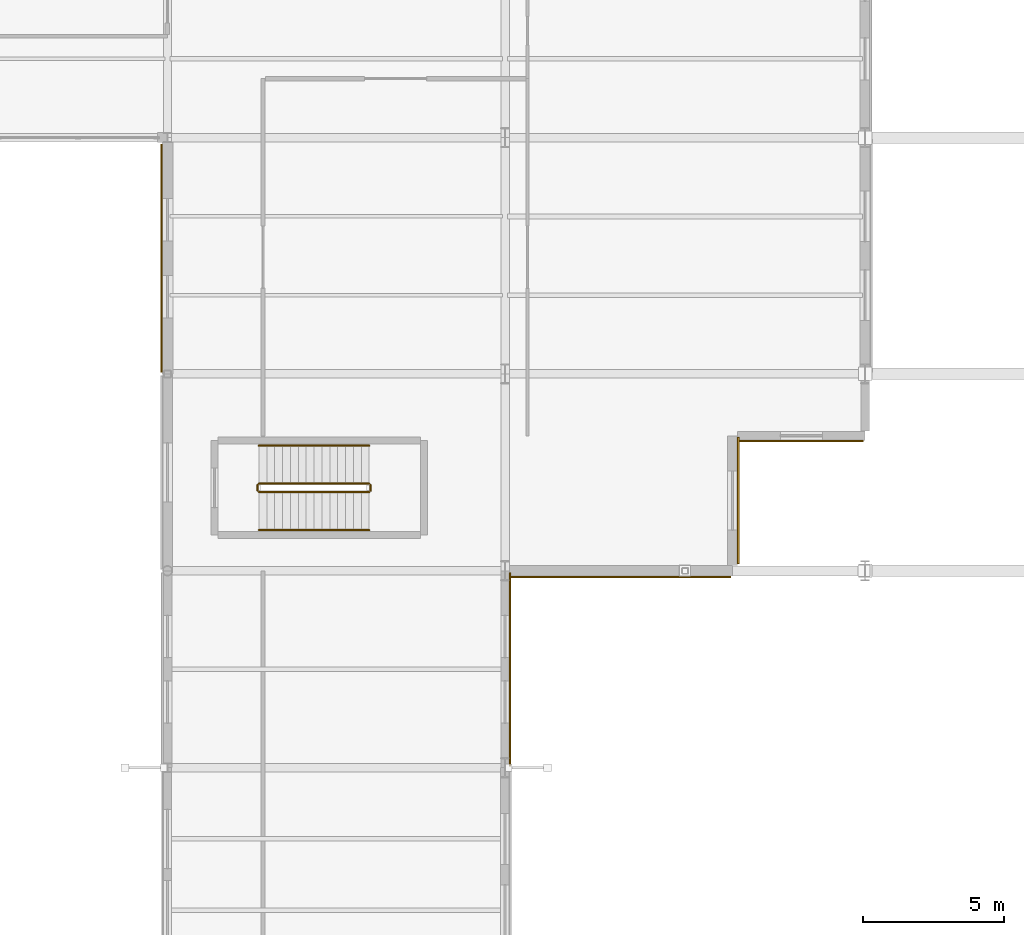
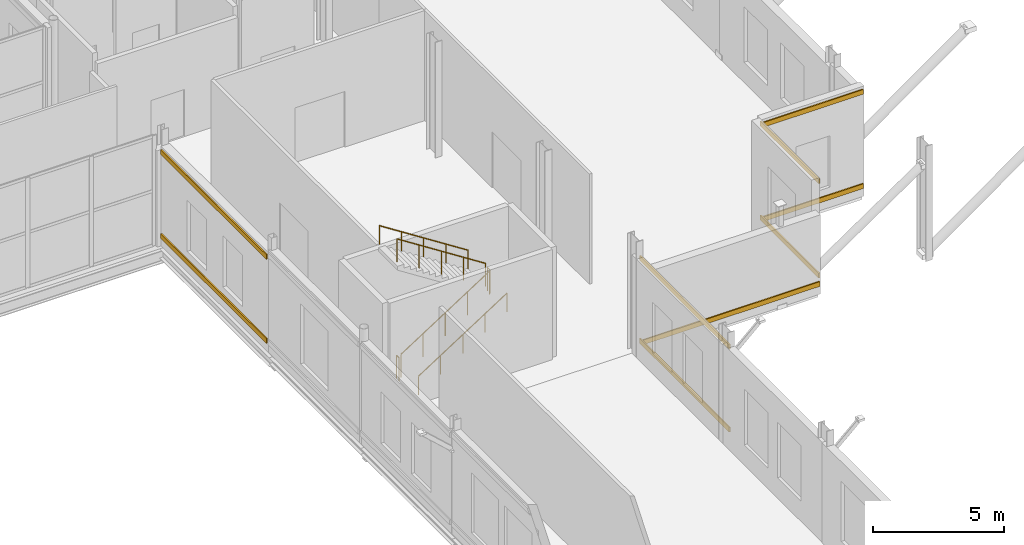
# One storey, part 143 of 147: 9 coverings, 6 railings.
"""IFC4 building model written with IfcOpenShell, lengths in metres."""

import ifcopenshell
import ifcopenshell.guid

model = None  # the IFC model being written
_history = None  # IfcOwnerHistory: only IFC2X3 demands one
_inside = {}  # id of a spatial element -> (the spatial element, [elements in it])
_under = {}  # id of a project, library or spatial element -> (it, [spatial elements below it])
_declared = {}  # id of a project -> (the project, [libraries it declares])
_typed = {}  # id of a type object -> (the type object, [elements of that type])
_made_of = {}  # id of a material, layer set ... -> (it, [elements and type objects made of it])


def new_model(schema):
    """Start an empty IFC model of exactly this schema.

    Asked for "IFC4X3", IfcOpenShell would pick the latest addendum, in which some entities
    have other attributes; the version numbers below select the first issue.
    IFC2X3 requires an IfcOwnerHistory on every rooted entity: one is made here for all.
    """
    global model, _history
    if schema == "IFC4X3":
        model = ifcopenshell.file(schema_version=(4, 3, 0, 0))
    else:
        model = ifcopenshell.file(schema=schema)
    _inside.clear()
    _under.clear()
    _declared.clear()
    _typed.clear()
    _made_of.clear()
    _history = None
    if model.schema == "IFC2X3":
        org = make("IfcOrganization", Name="unknown")
        user = make(
            "IfcPersonAndOrganization",
            ThePerson=make("IfcPerson", FamilyName="unknown"),
            TheOrganization=org,
        )
        app = make(
            "IfcApplication",
            ApplicationDeveloper=org,
            Version="unknown",
            ApplicationFullName="unknown",
            ApplicationIdentifier="unknown",
        )
        _history = make(
            "IfcOwnerHistory",
            OwningUser=user,
            OwningApplication=app,
            ChangeAction="ADDED",
            CreationDate=0,
        )
    return model


def make(cls, **values):
    """One entity of the class cls with the attributes given. An attribute that is None is left unset."""
    return model.create_entity(
        cls, **{name: value for name, value in values.items() if value is not None}
    )


def rooted(cls, **values):
    """An entity with a GlobalId (a new one), such as an element, a storey or a relation."""
    return make(cls, GlobalId=ifcopenshell.guid.new(), OwnerHistory=_history, **values)


def si_unit(unit_type, name, prefix=None):
    """IfcSIUnit, for example si_unit("LENGTHUNIT", "METRE", prefix="MILLI")."""
    return make("IfcSIUnit", UnitType=unit_type, Prefix=prefix, Name=name)


def assignment(units):
    """IfcUnitAssignment: the units of a project."""
    return None if units is None else make("IfcUnitAssignment", Units=units)


def point(xyz):
    """IfcCartesianPoint."""
    return None if xyz is None else make("IfcCartesianPoint", Coordinates=xyz)


def direction(xyz):
    """IfcDirection."""
    return None if xyz is None else make("IfcDirection", DirectionRatios=xyz)


def frame(location, z_axis=None, x_axis=None):
    """IfcAxis2Placement3D, a coordinate frame: its origin and axes. An axis left out is left unset."""
    return make(
        "IfcAxis2Placement3D",
        Location=point(location),
        Axis=direction(z_axis),
        RefDirection=direction(x_axis),
    )


def frame_2d(location, x_axis=None):
    """IfcAxis2Placement2D, a coordinate frame in the plane: its origin and x axis."""
    return make(
        "IfcAxis2Placement2D", Location=point(location), RefDirection=direction(x_axis)
    )


def origin():
    """The frame at (0, 0, 0) with its axes left unset."""
    return frame((0.0, 0.0, 0.0))


def origin_2d():
    """The frame at (0, 0) in the plane with its x axis left unset."""
    return frame_2d((0.0, 0.0))


def place(relative_to, where):
    """IfcLocalPlacement: puts the frame where relative to a parent placement (None: the world)."""
    return make(
        "IfcLocalPlacement", PlacementRelTo=relative_to, RelativePlacement=where
    )


def context(
    kind, dimensions, precision=None, world=None, true_north=None, identifier=None
):
    """IfcGeometricRepresentationContext, for example the 3D "Model" context."""
    return make(
        "IfcGeometricRepresentationContext",
        ContextIdentifier=identifier,
        ContextType=kind,
        CoordinateSpaceDimension=dimensions,
        Precision=precision,
        WorldCoordinateSystem=world,
        TrueNorth=true_north,
    )


def subcontext(parent, identifier, kind, view, scale=None):
    """IfcGeometricRepresentationSubContext, for example "Body" below "Model"."""
    return make(
        "IfcGeometricRepresentationSubContext",
        ContextIdentifier=identifier,
        ContextType=kind,
        ParentContext=parent,
        TargetScale=scale,
        TargetView=view,
    )


def project(units=None, contexts=None):
    """IfcProject with its units and contexts."""
    return rooted(
        "IfcProject",
        Name="project",
        RepresentationContexts=contexts,
        UnitsInContext=assignment(units),
    )


def spatial(cls, under=None, at=None, **own):
    """A site, building, storey or space (cls), placed at a placement, below another one or the project."""
    s = rooted(cls, ObjectPlacement=at, **own)
    if under is not None:
        _under.setdefault(under.id(), (under, []))[1].append(s)
    return s


def profile(cls, at=None, kind="AREA", **sizes):
    """A parametric profile (cls). Its sizes go by their IFC names, for example OverallWidth=200.0."""
    return make(cls, ProfileType=kind, Position=at, **sizes)


def rectangle(**sizes):
    """IfcRectangleProfileDef."""
    return profile("IfcRectangleProfileDef", **sizes)


def circle(**sizes):
    """IfcCircleProfileDef."""
    return profile("IfcCircleProfileDef", **sizes)


def extrude(swept, where, along, depth):
    """IfcExtrudedAreaSolid: the profile swept, set in the frame where, extruded along a direction by depth."""
    return make(
        "IfcExtrudedAreaSolid",
        SweptArea=swept,
        Position=where,
        ExtrudedDirection=direction(along),
        Depth=depth,
    )


def shape(context_of_items, identifier, shape_type, items):
    """IfcShapeRepresentation: the items that make up one representation, for example the "Body"."""
    return make(
        "IfcShapeRepresentation",
        ContextOfItems=context_of_items,
        RepresentationIdentifier=identifier,
        RepresentationType=shape_type,
        Items=items,
    )


def material(Name=None, Category=None):
    """IfcMaterial."""
    return make("IfcMaterial", Name=Name, Category=Category)


def layer(
    of_material, thickness, ventilated=None, Name=None, Category=None, Priority=None
):
    """IfcMaterialLayer: one layer of a wall or slab, of a material (None: an air gap)."""
    return make(
        "IfcMaterialLayer",
        Material=of_material,
        LayerThickness=thickness,
        IsVentilated=ventilated,
        Name=Name,
        Category=Category,
        Priority=Priority,
    )


def layer_set(layers, Name=None):
    """IfcMaterialLayerSet."""
    return make("IfcMaterialLayerSet", MaterialLayers=layers, LayerSetName=Name)


def made_of(thing, what):
    """Note that an element or type object is made of a material, layer set ...; save() writes the relation."""
    if what is not None:
        _made_of.setdefault(what.id(), (what, []))[1].append(thing)
    return thing


def type_object(cls, material=None, **own):
    """A type object (cls), such as IfcWallType, which elements share."""
    return made_of(rooted(cls, **own), material)


def element(
    cls,
    number,
    at=None,
    inside=None,
    cuts=None,
    type_object=None,
    material=None,
    context=None,
    identifier="Body",
    shape_type=None,
    held_by="IfcProductDefinitionShape",
    body=None,
    shapes=None,
    **own,
):
    """One element of the class cls, such as IfcWall. Its Tag is "e" and its number.

    at: its placement. inside: the storey or other place that contains it. cuts: it is an
    opening in that element (IfcRelVoidsElement). A single representation is given by context,
    identifier, shape_type and body (its items); several are given by shapes. held_by: the class
    of the entity that holds the representations. save() writes the other relations.
    """
    e = rooted(cls, Tag="e%d" % number, ObjectPlacement=at, **own)
    if body is not None:
        shapes = [shape(context, identifier, shape_type, body)]
    if shapes is not None:
        e.Representation = make(held_by, Representations=shapes)
    if inside is not None:
        _inside.setdefault(inside.id(), (inside, []))[1].append(e)
    if cuts is not None:
        rooted(
            "IfcRelVoidsElement", RelatingBuildingElement=cuts, RelatedOpeningElement=e
        )
    if type_object is not None:
        _typed.setdefault(type_object.id(), (type_object, []))[1].append(e)
    return made_of(e, material)


def aggregate(whole, parts):
    """IfcRelAggregates: a whole, such as a stair, and the parts it consists of."""
    return rooted("IfcRelAggregates", RelatingObject=whole, RelatedObjects=parts)


def save(model, path):
    """Write the relations noted so far, then the file.

    IfcRelAggregates (storeys below a building ...), IfcRelContainedInSpatialStructure (elements
    in a storey), IfcRelDefinesByType, IfcRelAssociatesMaterial and IfcRelDeclares: one each for
    every whole, place, type object, material and project.
    """
    for whole, parts in _under.values():
        aggregate(whole, parts)
    for where, things in _inside.values():
        rooted(
            "IfcRelContainedInSpatialStructure",
            RelatedElements=things,
            RelatingStructure=where,
        )
    for kind, things in _typed.values():
        rooted("IfcRelDefinesByType", RelatedObjects=things, RelatingType=kind)
    for what, things in _made_of.values():
        rooted("IfcRelAssociatesMaterial", RelatedObjects=things, RelatingMaterial=what)
    for by, libraries in _declared.values():
        rooted("IfcRelDeclares", RelatingContext=by, RelatedDefinitions=libraries)
    model.write(path)


model = new_model("IFC4")

# Units and contexts
model_context = context("Model", 3, precision=1e-05, world=origin(), true_north=direction((0.0, 1.0)))
body_context = subcontext(model_context, "Body", "Model", "MODEL_VIEW")
ifc_project = project(units=[si_unit("LENGTHUNIT", "METRE"), si_unit("AREAUNIT", "SQUARE_METRE"), si_unit("VOLUMEUNIT", "CUBIC_METRE"), si_unit("PLANEANGLEUNIT", "RADIAN"), si_unit("MASSUNIT", "GRAM", prefix="KILO")], contexts=[model_context])

# Site, building, storey
site_placement = place(None, origin())
site = spatial("IfcSite", under=ifc_project, at=site_placement, CompositionType="ELEMENT")
building_placement = place(site_placement, origin())
building = spatial("IfcBuilding", under=site, at=building_placement, Name="Vekula Escarpment Museum", CompositionType="ELEMENT")
storey_placement = place(building_placement, frame((0.0, 0.0, 7.800048828125)))
storey = spatial("IfcBuildingStorey", under=building, at=storey_placement, Name="L02", CompositionType="ELEMENT", Elevation=7.800048828125)

# Coverings
ifc_material_1 = material(Name="Polychrome limestone almasik string-course band", Category="masonry")
ifc_layer = layer(ifc_material_1, 0.06005859375)
ifc_layer_set = layer_set([ifc_layer], Name="Polychrome limestone almasik string-course band")
covering_type = type_object("IfcCoveringType", Name="COV-ALM-BAND", PredefinedType="CLADDING", material=ifc_layer_set)
for number, where, z_axis, x_axis, name in (
    (1, (166.783935546875, 63.71044921875, 0.41015625), (0.0, 0.0, 1.0), (0.0, 1.0, 0.0), "Almasik Stone String Course L02-0257"),
    (2, (166.783935546875, 63.71044921875, 4.3349609375), (0.0, 0.0, 1.0), (0.0, 1.0, 0.0), "Almasik Stone String Course L02-0258"),
):
    element("IfcCovering", number, at=place(storey_placement, frame(where, z_axis=z_axis, x_axis=x_axis)), inside=storey, type_object=covering_type, Name=name, PredefinedType="CLADDING", context=body_context, shape_type="SweptSolid", body=[
        extrude(rectangle(XDim=8.10107421875, YDim=0.06005859375, at=origin_2d()), origin(), (0.0, 0.0, 1.0), 0.219970703125),
    ])
for number, where, z_axis, x_axis, name in (
    (3, (179.176025390625, 49.10009765625, 0.41015625), (0.0, 0.0, 1.0), (0.0, 1.0, 0.0), "Almasik Stone String Course L02-0299"),
    (4, (179.176025390625, 49.10009765625, 4.27490234375), (0.0, 0.0, 1.0), (0.0, 1.0, 0.0), "Almasik Stone String Course L02-0300"),
):
    element("IfcCovering", number, at=place(storey_placement, frame(where, z_axis=z_axis, x_axis=x_axis)), inside=storey, type_object=covering_type, Name=name, PredefinedType="CLADDING", context=body_context, shape_type="SweptSolid", body=[
        extrude(rectangle(XDim=6.8798828125, YDim=0.06005859375, at=origin_2d()), origin(), (0.0, 0.0, 1.0), 0.219970703125),
    ])
covering_placement = place(storey_placement, frame((183.12109375, 52.384033203125, 0.41015625), z_axis=(0.0, 0.0, 1.0), x_axis=(1.0, 0.0, 0.0)))
element("IfcCovering", 5, at=covering_placement, inside=storey, type_object=covering_type, Name="Almasik Stone String Course L02-0301", PredefinedType="CLADDING", context=body_context, shape_type="SweptSolid", body=[
    extrude(rectangle(XDim=7.81396484375, YDim=0.06005859375, at=origin_2d()), origin(), (0.0, 0.0, 1.0), 0.219970703125),
])
for number, where, z_axis, x_axis, name in (
    (6, (187.2890625, 55.096923828125, 0.41015625), (0.0, 0.0, 1.0), (0.0, 1.0, 0.0), "Almasik Stone String Course L02-0302"),
    (7, (187.2890625, 55.096923828125, 4.81982421875), (0.0, 0.0, 1.0), (0.0, 1.0, 0.0), "Almasik Stone String Course L02-0303"),
):
    element("IfcCovering", number, at=place(storey_placement, frame(where, z_axis=z_axis, x_axis=x_axis)), inside=storey, type_object=covering_type, Name=name, PredefinedType="CLADDING", context=body_context, shape_type="SweptSolid", body=[
        extrude(rectangle(XDim=4.486083984375, YDim=0.06005859375, at=origin_2d()), origin(), (0.0, 0.0, 1.0), 0.219970703125),
    ])
for number, where, z_axis, x_axis, name in (
    (8, (189.533447265625, 57.214111328125, 0.41015625), (0.0, 0.0, 1.0), (1.0, 0.0, 0.0), "Almasik Stone String Course L02-0304"),
    (9, (189.533447265625, 57.214111328125, 4.81982421875), (0.0, 0.0, 1.0), (1.0, 0.0, 0.0), "Almasik Stone String Course L02-0305"),
):
    element("IfcCovering", number, at=place(storey_placement, frame(where, z_axis=z_axis, x_axis=x_axis)), inside=storey, type_object=covering_type, Name=name, PredefinedType="CLADDING", context=body_context, shape_type="SweptSolid", body=[
        extrude(rectangle(XDim=4.4130859375, YDim=0.06005859375, at=origin_2d()), origin(), (0.0, 0.0, 1.0), 0.219970703125),
    ])

# Railings
ifc_material_2 = material(Name="Painted Steel S355 stair guard", Category="steel")
railing_type_1 = type_object("IfcRailingType", Name="RL-STAIR-GUARD", PredefinedType="GUARDRAIL", material=ifc_material_2)
railing_1_placement = place(storey_placement, frame((170.25, 55.39990234375, 0.179931640625)))
element("IfcRailing", 10, at=railing_1_placement, inside=storey, type_object=railing_type_1, Name="L02 ST-02 stair guard 1", PredefinedType="GUARDRAIL", context=body_context, shape_type="SweptSolid", body=[
    extrude(circle(Radius=0.02392578125, at=origin_2d()), frame((0.0, 0.0, 1.076171875), z_axis=(0.841171666519, 0.0, 0.540768182723), x_axis=(0.0, 1.0, 0.0)), (0.0, 0.0, 1.0), 4.66015625),
    extrude(circle(Radius=0.02099609375, at=origin_2d()), origin(), (0.0, 0.0, 1.0), 1.052001953125),
    extrude(circle(Radius=0.02099609375, at=origin_2d()), frame((0.97998046875, 0.0, 0.6298828125)), (0.0, 0.0, 1.0), 1.052001953125),
    extrude(circle(Radius=0.02099609375, at=origin_2d()), frame((1.9599609375, 0.0, 1.260009765625)), (0.0, 0.0, 1.0), 1.052001953125),
    extrude(circle(Radius=0.02099609375, at=origin_2d()), frame((2.93994140625, 0.0, 1.89013671875)), (0.0, 0.0, 1.0), 1.052001953125),
    extrude(circle(Radius=0.02099609375, at=origin_2d()), frame((3.919921875, 0.0, 2.52001953125)), (0.0, 0.0, 1.0), 1.052001953125),
])
railing_2_placement = place(storey_placement, frame((174.219970703125, 55.449951171875, 2.699951171875)))
element("IfcRailing", 11, at=railing_2_placement, inside=storey, type_object=railing_type_1, Name="L02 ST-02 stair guard 2", PredefinedType="GUARDRAIL", context=body_context, shape_type="SweptSolid", body=[
    extrude(circle(Radius=0.02392578125, at=origin_2d()), frame((0.0, 0.0, 1.076171875), z_axis=(0.0, 1.0, 0.0), x_axis=(-1.0, 0.0, 0.0)), (0.0, 0.0, 1.0), 0.199951171875),
    extrude(circle(Radius=0.02099609375, at=origin_2d()), origin(), (0.0, 0.0, 1.0), 1.052001953125),
    extrude(circle(Radius=0.02099609375, at=origin_2d()), frame((0.0, 0.199951171875, 0.0)), (0.0, 0.0, 1.0), 1.052001953125),
])
railing_3_placement = place(storey_placement, frame((174.169921875, 55.699951171875, 2.8798828125)))
element("IfcRailing", 12, at=railing_3_placement, inside=storey, type_object=railing_type_1, Name="L02 ST-02 stair guard 3", PredefinedType="GUARDRAIL", context=body_context, shape_type="SweptSolid", body=[
    extrude(circle(Radius=0.02392578125, at=origin_2d()), frame((0.0, 0.0, 1.076171875), z_axis=(-0.841171666519, 0.0, 0.540768182723), x_axis=(0.0, -1.0, 0.0)), (0.0, 0.0, 1.0), 4.66015625),
    extrude(circle(Radius=0.02099609375, at=origin_2d()), origin(), (0.0, 0.0, 1.0), 1.052001953125),
    extrude(circle(Radius=0.02099609375, at=origin_2d()), frame((-0.97998046875, 0.0, 0.6298828125)), (0.0, 0.0, 1.0), 1.052001953125),
    extrude(circle(Radius=0.02099609375, at=origin_2d()), frame((-1.9599609375, 0.0, 1.260009765625)), (0.0, 0.0, 1.0), 1.052001953125),
    extrude(circle(Radius=0.02099609375, at=origin_2d()), frame((-2.93994140625, 0.0, 1.89013671875)), (0.0, 0.0, 1.0), 1.052001953125),
    extrude(circle(Radius=0.02099609375, at=origin_2d()), frame((-3.919921875, 0.0, 2.52001953125)), (0.0, 0.0, 1.0), 1.052001953125),
])
railing_4_placement = place(storey_placement, frame((170.199951171875, 55.449951171875, 0.0)))
element("IfcRailing", 13, at=railing_4_placement, inside=storey, type_object=railing_type_1, Name="L02 ST-02 stair guard 4", PredefinedType="GUARDRAIL", context=body_context, shape_type="SweptSolid", body=[
    extrude(circle(Radius=0.02392578125, at=origin_2d()), frame((0.0, 0.0, 1.076171875), z_axis=(0.0, 1.0, 0.0), x_axis=(-1.0, 0.0, 0.0)), (0.0, 0.0, 1.0), 0.199951171875),
    extrude(circle(Radius=0.02099609375, at=origin_2d()), origin(), (0.0, 0.0, 1.0), 1.052001953125),
    extrude(circle(Radius=0.02099609375, at=origin_2d()), frame((0.0, 0.199951171875, 0.0)), (0.0, 0.0, 1.0), 1.052001953125),
])
ifc_material_3 = material(Name="Brushed stainless steel handrail", Category="steel")
railing_type_2 = type_object("IfcRailingType", Name="RL-STAIR-HAND", PredefinedType="HANDRAIL", material=ifc_material_3)
railing_5_placement = place(storey_placement, frame((170.25, 54.050048828125, 0.179931640625)))
element("IfcRailing", 14, at=railing_5_placement, inside=storey, type_object=railing_type_2, Name="L02 ST-02 stair handrail 1", PredefinedType="HANDRAIL", context=body_context, shape_type="SweptSolid", body=[
    extrude(circle(Radius=0.02392578125, at=origin_2d()), frame((0.0, 0.0, 0.8759765625), z_axis=(0.841171666519, 0.0, 0.540768182723), x_axis=(0.0, 1.0, 0.0)), (0.0, 0.0, 1.0), 4.66015625),
    extrude(circle(Radius=0.02099609375, at=origin_2d()), origin(), (0.0, 0.0, 1.0), 0.851806640625),
    extrude(circle(Radius=0.02099609375, at=origin_2d()), frame((0.97998046875, 0.0, 0.6298828125)), (0.0, 0.0, 1.0), 0.851806640625),
    extrude(circle(Radius=0.02099609375, at=origin_2d()), frame((1.9599609375, 0.0, 1.260009765625)), (0.0, 0.0, 1.0), 0.851806640625),
    extrude(circle(Radius=0.02099609375, at=origin_2d()), frame((2.93994140625, 0.0, 1.89013671875)), (0.0, 0.0, 1.0), 0.851806640625),
    extrude(circle(Radius=0.02099609375, at=origin_2d()), frame((3.919921875, 0.0, 2.52001953125)), (0.0, 0.0, 1.0), 0.851806640625),
])
railing_6_placement = place(storey_placement, frame((174.169921875, 57.050048828125, 2.8798828125)))
element("IfcRailing", 15, at=railing_6_placement, inside=storey, type_object=railing_type_2, Name="L02 ST-02 stair handrail 2", PredefinedType="HANDRAIL", context=body_context, shape_type="SweptSolid", body=[
    extrude(circle(Radius=0.02392578125, at=origin_2d()), frame((0.0, 0.0, 0.8759765625), z_axis=(-0.841171666519, 0.0, 0.540768182723), x_axis=(0.0, -1.0, 0.0)), (0.0, 0.0, 1.0), 4.66015625),
    extrude(circle(Radius=0.02099609375, at=origin_2d()), origin(), (0.0, 0.0, 1.0), 0.851806640625),
    extrude(circle(Radius=0.02099609375, at=origin_2d()), frame((-0.97998046875, 0.0, 0.6298828125)), (0.0, 0.0, 1.0), 0.851806640625),
    extrude(circle(Radius=0.02099609375, at=origin_2d()), frame((-1.9599609375, 0.0, 1.260009765625)), (0.0, 0.0, 1.0), 0.851806640625),
    extrude(circle(Radius=0.02099609375, at=origin_2d()), frame((-2.93994140625, 0.0, 1.89013671875)), (0.0, 0.0, 1.0), 0.851806640625),
    extrude(circle(Radius=0.02099609375, at=origin_2d()), frame((-3.919921875, 0.0, 2.52001953125)), (0.0, 0.0, 1.0), 0.851806640625),
])

save(model, "model.ifc")
